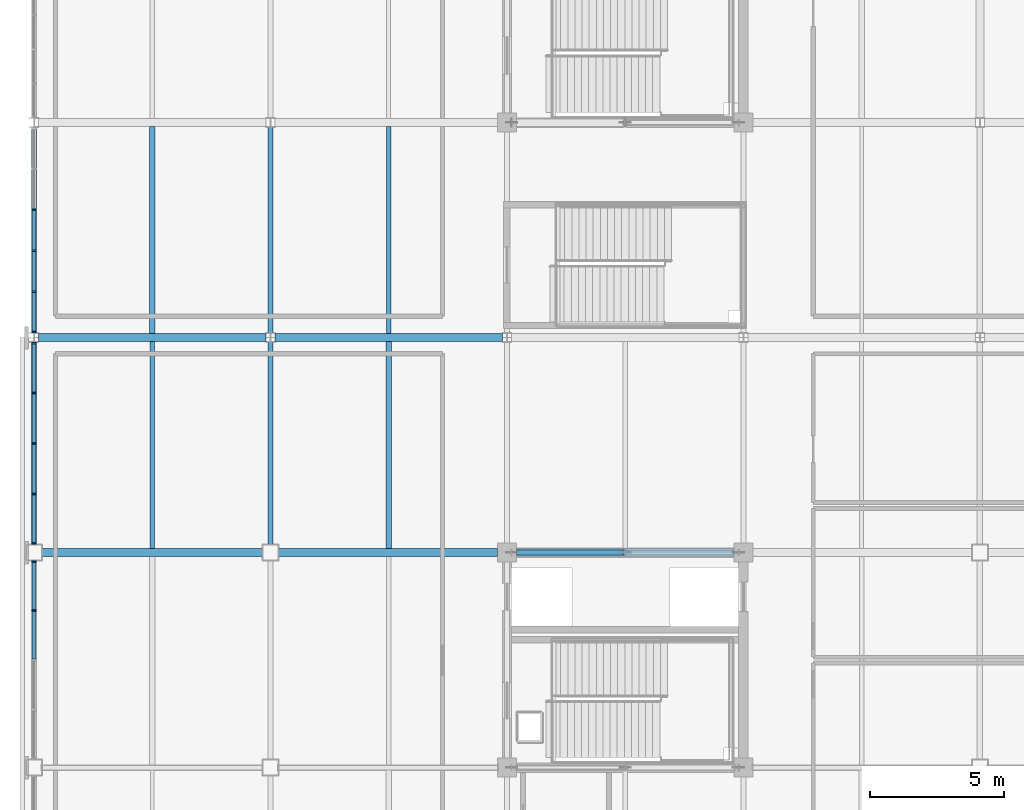
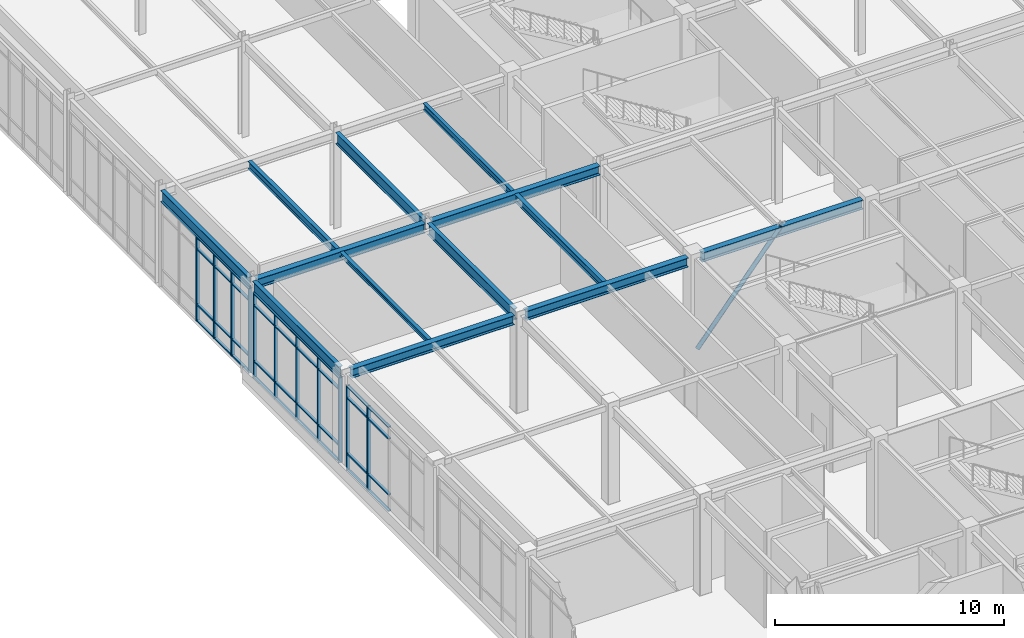
# One storey, part 61 of 184: 48 members, 13 beams, 3 elements without a shape of their own.
"""IFC4 building model written with IfcOpenShell, lengths in metres."""

from ifc_helpers import new_model, si_unit, direction, frame, origin, origin_2d, place, context, subcontext, project, spatial, rectangle, hollow_circle, i_section, extrude, material, material_profile, profile_set, type_object, element, aggregate, save


model = new_model("IFC4")

# Units and contexts
model_context = context("Model", 3, precision=1e-05, world=origin(), true_north=direction((0.0, 1.0)))
body_context = subcontext(model_context, "Body", "Model", "MODEL_VIEW")
ifc_project = project(units=[si_unit("LENGTHUNIT", "METRE"), si_unit("AREAUNIT", "SQUARE_METRE"), si_unit("VOLUMEUNIT", "CUBIC_METRE"), si_unit("PLANEANGLEUNIT", "RADIAN"), si_unit("MASSUNIT", "GRAM", prefix="KILO")], contexts=[model_context])

# Site, building, storey
site_placement = place(None, origin())
site = spatial("IfcSite", under=ifc_project, at=site_placement, CompositionType="ELEMENT")
building_placement = place(site_placement, origin())
building = spatial("IfcBuilding", under=site, at=building_placement, Name="Zhaolan Boulevard Law Courts", CompositionType="ELEMENT")
storey_placement = place(building_placement, frame((0.0, 0.0, 5.39990234375)))
storey = spatial("IfcBuildingStorey", under=building, at=storey_placement, Name="L01", CompositionType="ELEMENT", Elevation=5.39990234375)

# Member
ifc_material_1 = material(Name="Structural steel Q355B", Category="steel")
ifc_material_profile_1 = material_profile(ifc_material_1, hollow_circle(Radius=0.109619140625, WallThickness=0.008056640625, at=origin_2d()), Name="CHS219x8")
ifc_profile_set_1 = profile_set([ifc_material_profile_1], Name="Structural steel Q355B")
member_type_1 = type_object("IfcMemberType", Name="BRACE CHS219", PredefinedType="BRACE", material=ifc_profile_set_1)
member_1_placement = place(storey_placement, frame((17.780029296875, 70.0, 0.030029296875), z_axis=(0.638239277889, 0.0, 0.769838050605), x_axis=(0.0, 1.0, 0.0)))
element("IfcMember", 1, at=member_1_placement, inside=storey, type_object=member_type_1, Name="Core Brace BR-W2-L01-N1", PredefinedType="BRACE", context=body_context, shape_type="SweptSolid", body=[
    extrude(hollow_circle(Radius=0.109619140625, WallThickness=0.008056640625, at=origin_2d()), origin(), (0.0, 0.0, 1.0), 6.61181640625),
])

# Curtain wall, members
ifc_material_2 = material(Name="Thermally broken aluminium and low-E glazing", Category="aluminium")
curtain_wall_type_1 = type_object("IfcCurtainWallType", Name="CURTAIN WALL M11", PredefinedType="USERDEFINED", material=ifc_material_2)
curtain_wall_1_placement = place(storey_placement, origin())
curtain_wall_1 = element("IfcCurtainWall", 2, at=curtain_wall_1_placement, inside=storey, type_object=curtain_wall_type_1, Name="Curtain Wall CW-L01-107", ObjectType="CURTAIN WALL", PredefinedType="USERDEFINED")
ifc_material_3 = material(Name="Fluorocarbon-coated aluminium 6063-T6", Category="aluminium")
ifc_material_profile_2 = material_profile(ifc_material_3, rectangle(XDim=0.179931640625, YDim=0.06494140625, at=origin_2d()), Name="AL65x180")
ifc_profile_set_2 = profile_set([ifc_material_profile_2], Name="Fluorocarbon-coated aluminium 6063-T6")
member_type_2 = type_object("IfcMemberType", Name="CWMULLION 65X180", PredefinedType="MULLION", material=ifc_profile_set_2)
member_2_placement = place(storey_placement, frame((0.0, 82.7646484375, 0.0), z_axis=(0.0, 0.0, 1.0), x_axis=(1.0, 0.0, 0.0)))
member_2 = element("IfcMember", 3, at=member_2_placement, type_object=member_type_2, Name="CW-L01-107 mullion 3", PredefinedType="MULLION", context=body_context, shape_type="SweptSolid", body=[
    extrude(rectangle(XDim=0.179931640625, YDim=0.06494140625, at=origin_2d()), origin(), (0.0, 0.0, 1.0), 4.503173828125),
])
member_3_placement = place(storey_placement, frame((0.0, 81.2353515625, 0.0), z_axis=(0.0, 0.0, 1.0), x_axis=(1.0, 0.0, 0.0)))
member_3 = element("IfcMember", 4, at=member_3_placement, type_object=member_type_2, Name="CW-L01-107 mullion 4", PredefinedType="MULLION", context=body_context, shape_type="SweptSolid", body=[
    extrude(rectangle(XDim=0.179931640625, YDim=0.06494140625, at=origin_2d()), origin(), (0.0, 0.0, 1.0), 4.503173828125),
])
member_4_placement = place(storey_placement, frame((0.0, 79.706298828125, 0.0), z_axis=(0.0, 0.0, 1.0), x_axis=(1.0, 0.0, 0.0)))
member_4 = element("IfcMember", 5, at=member_4_placement, type_object=member_type_2, Name="CW-L01-107 mullion 5", PredefinedType="MULLION", context=body_context, shape_type="SweptSolid", body=[
    extrude(rectangle(XDim=0.179931640625, YDim=0.06494140625, at=origin_2d()), origin(), (0.0, 0.0, 1.0), 4.503173828125),
])
member_5_placement = place(storey_placement, frame((0.0, 78.20947265625, 0.0), z_axis=(0.0, 0.0, 1.0), x_axis=(1.0, 0.0, 0.0)))
member_5 = element("IfcMember", 6, at=member_5_placement, type_object=member_type_2, Name="CW-L01-107 mullion 6", PredefinedType="MULLION", context=body_context, shape_type="SweptSolid", body=[
    extrude(rectangle(XDim=0.179931640625, YDim=0.06494140625, at=origin_2d()), origin(), (0.0, 0.0, 1.0), 4.503173828125),
])

ifc_material_4 = material(Name="Thermally broken aluminium and low-E glazing", Category="aluminium")
curtain_wall_type_2 = type_object("IfcCurtainWallType", Name="CURTAIN WALL M23", PredefinedType="USERDEFINED", material=ifc_material_4)
curtain_wall_2_placement = place(storey_placement, origin())
curtain_wall_2 = element("IfcCurtainWall", 7, at=curtain_wall_2_placement, inside=storey, type_object=curtain_wall_type_2, Name="Curtain Wall CW-L01-143", ObjectType="CURTAIN WALL", PredefinedType="USERDEFINED")
member_6_placement = place(storey_placement, frame((0.0, 69.66552734375, 0.0), z_axis=(0.0, 0.0, 1.0), x_axis=(1.0, 0.0, 0.0)))
member_6 = element("IfcMember", 8, at=member_6_placement, type_object=member_type_2, Name="CW-L01-143 mullion 1", PredefinedType="MULLION", context=body_context, shape_type="SweptSolid", body=[
    extrude(rectangle(XDim=0.179931640625, YDim=0.06494140625, at=origin_2d()), origin(), (0.0, 0.0, 1.0), 4.523193359375),
])
member_7_placement = place(storey_placement, frame((0.0, 67.84912109375, 0.0), z_axis=(0.0, 0.0, 1.0), x_axis=(1.0, 0.0, 0.0)))
member_7 = element("IfcMember", 9, at=member_7_placement, type_object=member_type_2, Name="CW-L01-143 mullion 2", PredefinedType="MULLION", context=body_context, shape_type="SweptSolid", body=[
    extrude(rectangle(XDim=0.179931640625, YDim=0.06494140625, at=origin_2d()), origin(), (0.0, 0.0, 1.0), 4.523193359375),
])

ifc_material_5 = material(Name="Thermally broken aluminium and low-E glazing", Category="aluminium")
curtain_wall_type_3 = type_object("IfcCurtainWallType", Name="CURTAIN WALL M24", PredefinedType="USERDEFINED", material=ifc_material_5)
curtain_wall_3_placement = place(storey_placement, origin())
curtain_wall_3 = element("IfcCurtainWall", 10, at=curtain_wall_3_placement, inside=storey, type_object=curtain_wall_type_3, Name="Curtain Wall CW-L01-144", ObjectType="CURTAIN WALL", PredefinedType="USERDEFINED")
member_8_placement = place(storey_placement, frame((0.0, 77.79052734375, 0.0), z_axis=(0.0, 0.0, 1.0), x_axis=(1.0, 0.0, 0.0)))
member_8 = element("IfcMember", 11, at=member_8_placement, type_object=member_type_2, Name="CW-L01-144 mullion 1", PredefinedType="MULLION", context=body_context, shape_type="SweptSolid", body=[
    extrude(rectangle(XDim=0.179931640625, YDim=0.06494140625, at=origin_2d()), origin(), (0.0, 0.0, 1.0), 4.523193359375),
])
member_9_placement = place(storey_placement, frame((0.0, 75.94287109375, 0.0), z_axis=(0.0, 0.0, 1.0), x_axis=(1.0, 0.0, 0.0)))
member_9 = element("IfcMember", 12, at=member_9_placement, type_object=member_type_2, Name="CW-L01-144 mullion 2", PredefinedType="MULLION", context=body_context, shape_type="SweptSolid", body=[
    extrude(rectangle(XDim=0.179931640625, YDim=0.06494140625, at=origin_2d()), origin(), (0.0, 0.0, 1.0), 4.523193359375),
])
member_10_placement = place(storey_placement, frame((0.0, 74.0625, 0.0), z_axis=(0.0, 0.0, 1.0), x_axis=(1.0, 0.0, 0.0)))
member_10 = element("IfcMember", 13, at=member_10_placement, type_object=member_type_2, Name="CW-L01-144 mullion 3", PredefinedType="MULLION", context=body_context, shape_type="SweptSolid", body=[
    extrude(rectangle(XDim=0.179931640625, YDim=0.06494140625, at=origin_2d()), origin(), (0.0, 0.0, 1.0), 4.523193359375),
])
member_11_placement = place(storey_placement, frame((0.0, 72.18212890625, 0.0), z_axis=(0.0, 0.0, 1.0), x_axis=(1.0, 0.0, 0.0)))
member_11 = element("IfcMember", 14, at=member_11_placement, type_object=member_type_2, Name="CW-L01-144 mullion 4", PredefinedType="MULLION", context=body_context, shape_type="SweptSolid", body=[
    extrude(rectangle(XDim=0.179931640625, YDim=0.06494140625, at=origin_2d()), origin(), (0.0, 0.0, 1.0), 4.523193359375),
])
member_12_placement = place(storey_placement, frame((0.0, 70.33447265625, 0.0), z_axis=(0.0, 0.0, 1.0), x_axis=(1.0, 0.0, 0.0)))
member_12 = element("IfcMember", 15, at=member_12_placement, type_object=member_type_2, Name="CW-L01-144 mullion 5", PredefinedType="MULLION", context=body_context, shape_type="SweptSolid", body=[
    extrude(rectangle(XDim=0.179931640625, YDim=0.06494140625, at=origin_2d()), origin(), (0.0, 0.0, 1.0), 4.523193359375),
])

# Member
ifc_material_6 = material(Name="Fluorocarbon-coated aluminium 6063-T6", Category="aluminium")
ifc_material_profile_3 = material_profile(ifc_material_6, rectangle(XDim=0.139892578125, YDim=0.06494140625, at=origin_2d()), Name="AL65x140")
ifc_profile_set_3 = profile_set([ifc_material_profile_3], Name="Fluorocarbon-coated aluminium 6063-T6")
member_type_3 = type_object("IfcMemberType", Name="CWTRANSOM 65X140", PredefinedType="USERDEFINED", material=ifc_profile_set_3)
member_13_placement = place(storey_placement, frame((0.0, 82.732177734375, 0.03271484375), z_axis=(0.0, -1.0, 0.0), x_axis=(1.0, 0.0, 0.0)))
member_13 = element("IfcMember", 16, at=member_13_placement, type_object=member_type_3, Name="CW-L01-107 transom 3.1", ObjectType="TRANSOM", PredefinedType="USERDEFINED", context=body_context, shape_type="SweptSolid", body=[
    extrude(rectangle(XDim=0.139892578125, YDim=0.06494140625, at=origin_2d()), origin(), (0.0, 0.0, 1.0), 1.46435546875),
])

member_14_placement = place(storey_placement, frame((0.0, 82.732177734375, 0.900146484375), z_axis=(0.0, -1.0, 0.0), x_axis=(1.0, 0.0, 0.0)))
member_14 = element("IfcMember", 17, at=member_14_placement, type_object=member_type_3, Name="CW-L01-107 transom 3.2", ObjectType="TRANSOM", PredefinedType="USERDEFINED", context=body_context, shape_type="SweptSolid", body=[
    extrude(rectangle(XDim=0.139892578125, YDim=0.06494140625, at=origin_2d()), origin(), (0.0, 0.0, 1.0), 1.46435546875),
])

member_15_placement = place(storey_placement, frame((0.0, 82.732177734375, 3.85302734375), z_axis=(0.0, -1.0, 0.0), x_axis=(1.0, 0.0, 0.0)))
member_15 = element("IfcMember", 18, at=member_15_placement, type_object=member_type_3, Name="CW-L01-107 transom 3.3", ObjectType="TRANSOM", PredefinedType="USERDEFINED", context=body_context, shape_type="SweptSolid", body=[
    extrude(rectangle(XDim=0.139892578125, YDim=0.06494140625, at=origin_2d()), origin(), (0.0, 0.0, 1.0), 1.46435546875),
])

member_16_placement = place(storey_placement, frame((0.0, 82.732177734375, 4.470703125), z_axis=(0.0, -1.0, 0.0), x_axis=(1.0, 0.0, 0.0)))
member_16 = element("IfcMember", 19, at=member_16_placement, type_object=member_type_3, Name="CW-L01-107 transom 3.4", ObjectType="TRANSOM", PredefinedType="USERDEFINED", context=body_context, shape_type="SweptSolid", body=[
    extrude(rectangle(XDim=0.139892578125, YDim=0.06494140625, at=origin_2d()), origin(), (0.0, 0.0, 1.0), 1.46435546875),
])

member_17_placement = place(storey_placement, frame((0.0, 81.202880859375, 0.03271484375), z_axis=(0.0, -1.0, 0.0), x_axis=(1.0, 0.0, 0.0)))
member_17 = element("IfcMember", 20, at=member_17_placement, type_object=member_type_3, Name="CW-L01-107 transom 4.1", ObjectType="TRANSOM", PredefinedType="USERDEFINED", context=body_context, shape_type="SweptSolid", body=[
    extrude(rectangle(XDim=0.139892578125, YDim=0.06494140625, at=origin_2d()), origin(), (0.0, 0.0, 1.0), 1.464111328125),
])

member_18_placement = place(storey_placement, frame((0.0, 81.202880859375, 0.900146484375), z_axis=(0.0, -1.0, 0.0), x_axis=(1.0, 0.0, 0.0)))
member_18 = element("IfcMember", 21, at=member_18_placement, type_object=member_type_3, Name="CW-L01-107 transom 4.2", ObjectType="TRANSOM", PredefinedType="USERDEFINED", context=body_context, shape_type="SweptSolid", body=[
    extrude(rectangle(XDim=0.139892578125, YDim=0.06494140625, at=origin_2d()), origin(), (0.0, 0.0, 1.0), 1.464111328125),
])

member_19_placement = place(storey_placement, frame((0.0, 81.202880859375, 3.85302734375), z_axis=(0.0, -1.0, 0.0), x_axis=(1.0, 0.0, 0.0)))
member_19 = element("IfcMember", 22, at=member_19_placement, type_object=member_type_3, Name="CW-L01-107 transom 4.3", ObjectType="TRANSOM", PredefinedType="USERDEFINED", context=body_context, shape_type="SweptSolid", body=[
    extrude(rectangle(XDim=0.139892578125, YDim=0.06494140625, at=origin_2d()), origin(), (0.0, 0.0, 1.0), 1.464111328125),
])

member_20_placement = place(storey_placement, frame((0.0, 81.202880859375, 4.470703125), z_axis=(0.0, -1.0, 0.0), x_axis=(1.0, 0.0, 0.0)))
member_20 = element("IfcMember", 23, at=member_20_placement, type_object=member_type_3, Name="CW-L01-107 transom 4.4", ObjectType="TRANSOM", PredefinedType="USERDEFINED", context=body_context, shape_type="SweptSolid", body=[
    extrude(rectangle(XDim=0.139892578125, YDim=0.06494140625, at=origin_2d()), origin(), (0.0, 0.0, 1.0), 1.464111328125),
])

member_21_placement = place(storey_placement, frame((0.0, 79.673583984375, 0.03271484375), z_axis=(0.0, -1.0, 0.0), x_axis=(1.0, 0.0, 0.0)))
member_21 = element("IfcMember", 24, at=member_21_placement, type_object=member_type_3, Name="CW-L01-107 transom 5.1", ObjectType="TRANSOM", PredefinedType="USERDEFINED", context=body_context, shape_type="SweptSolid", body=[
    extrude(rectangle(XDim=0.139892578125, YDim=0.06494140625, at=origin_2d()), origin(), (0.0, 0.0, 1.0), 1.431640625),
])

member_22_placement = place(storey_placement, frame((0.0, 79.673583984375, 0.900146484375), z_axis=(0.0, -1.0, 0.0), x_axis=(1.0, 0.0, 0.0)))
member_22 = element("IfcMember", 25, at=member_22_placement, type_object=member_type_3, Name="CW-L01-107 transom 5.2", ObjectType="TRANSOM", PredefinedType="USERDEFINED", context=body_context, shape_type="SweptSolid", body=[
    extrude(rectangle(XDim=0.139892578125, YDim=0.06494140625, at=origin_2d()), origin(), (0.0, 0.0, 1.0), 1.431640625),
])

member_23_placement = place(storey_placement, frame((0.0, 79.673583984375, 3.85302734375), z_axis=(0.0, -1.0, 0.0), x_axis=(1.0, 0.0, 0.0)))
member_23 = element("IfcMember", 26, at=member_23_placement, type_object=member_type_3, Name="CW-L01-107 transom 5.3", ObjectType="TRANSOM", PredefinedType="USERDEFINED", context=body_context, shape_type="SweptSolid", body=[
    extrude(rectangle(XDim=0.139892578125, YDim=0.06494140625, at=origin_2d()), origin(), (0.0, 0.0, 1.0), 1.431640625),
])

member_24_placement = place(storey_placement, frame((0.0, 79.673583984375, 4.470703125), z_axis=(0.0, -1.0, 0.0), x_axis=(1.0, 0.0, 0.0)))
member_24 = element("IfcMember", 27, at=member_24_placement, type_object=member_type_3, Name="CW-L01-107 transom 5.4", ObjectType="TRANSOM", PredefinedType="USERDEFINED", context=body_context, shape_type="SweptSolid", body=[
    extrude(rectangle(XDim=0.139892578125, YDim=0.06494140625, at=origin_2d()), origin(), (0.0, 0.0, 1.0), 1.431640625),
])

aggregate(curtain_wall_1, [member_2, member_3, member_4, member_5, member_13, member_14, member_15, member_16, member_17, member_18, member_19, member_20, member_21, member_22, member_23, member_24])

member_25_placement = place(storey_placement, frame((0.0, 69.633056640625, 0.03271484375), z_axis=(0.0, -1.0, 0.0), x_axis=(1.0, 0.0, 0.0)))
member_25 = element("IfcMember", 28, at=member_25_placement, type_object=member_type_3, Name="CW-L01-143 transom 1.1", ObjectType="TRANSOM", PredefinedType="USERDEFINED", context=body_context, shape_type="SweptSolid", body=[
    extrude(rectangle(XDim=0.139892578125, YDim=0.06494140625, at=origin_2d()), origin(), (0.0, 0.0, 1.0), 1.75146484375),
])

member_26_placement = place(storey_placement, frame((0.0, 69.633056640625, 0.900146484375), z_axis=(0.0, -1.0, 0.0), x_axis=(1.0, 0.0, 0.0)))
member_26 = element("IfcMember", 29, at=member_26_placement, type_object=member_type_3, Name="CW-L01-143 transom 1.2", ObjectType="TRANSOM", PredefinedType="USERDEFINED", context=body_context, shape_type="SweptSolid", body=[
    extrude(rectangle(XDim=0.139892578125, YDim=0.06494140625, at=origin_2d()), origin(), (0.0, 0.0, 1.0), 1.75146484375),
])

member_27_placement = place(storey_placement, frame((0.0, 69.633056640625, 3.873046875), z_axis=(0.0, -1.0, 0.0), x_axis=(1.0, 0.0, 0.0)))
member_27 = element("IfcMember", 30, at=member_27_placement, type_object=member_type_3, Name="CW-L01-143 transom 1.3", ObjectType="TRANSOM", PredefinedType="USERDEFINED", context=body_context, shape_type="SweptSolid", body=[
    extrude(rectangle(XDim=0.139892578125, YDim=0.06494140625, at=origin_2d()), origin(), (0.0, 0.0, 1.0), 1.75146484375),
])

member_28_placement = place(storey_placement, frame((0.0, 69.633056640625, 4.490478515625), z_axis=(0.0, -1.0, 0.0), x_axis=(1.0, 0.0, 0.0)))
member_28 = element("IfcMember", 31, at=member_28_placement, type_object=member_type_3, Name="CW-L01-143 transom 1.4", ObjectType="TRANSOM", PredefinedType="USERDEFINED", context=body_context, shape_type="SweptSolid", body=[
    extrude(rectangle(XDim=0.139892578125, YDim=0.06494140625, at=origin_2d()), origin(), (0.0, 0.0, 1.0), 1.75146484375),
])

member_29_placement = place(storey_placement, frame((0.0, 67.81640625, 0.03271484375), z_axis=(0.0, -1.0, 0.0), x_axis=(1.0, 0.0, 0.0)))
member_29 = element("IfcMember", 32, at=member_29_placement, type_object=member_type_3, Name="CW-L01-143 transom 2.1", ObjectType="TRANSOM", PredefinedType="USERDEFINED", context=body_context, shape_type="SweptSolid", body=[
    extrude(rectangle(XDim=0.139892578125, YDim=0.06494140625, at=origin_2d()), origin(), (0.0, 0.0, 1.0), 1.783935546875),
])

member_30_placement = place(storey_placement, frame((0.0, 67.81640625, 0.900146484375), z_axis=(0.0, -1.0, 0.0), x_axis=(1.0, 0.0, 0.0)))
member_30 = element("IfcMember", 33, at=member_30_placement, type_object=member_type_3, Name="CW-L01-143 transom 2.2", ObjectType="TRANSOM", PredefinedType="USERDEFINED", context=body_context, shape_type="SweptSolid", body=[
    extrude(rectangle(XDim=0.139892578125, YDim=0.06494140625, at=origin_2d()), origin(), (0.0, 0.0, 1.0), 1.783935546875),
])

member_31_placement = place(storey_placement, frame((0.0, 67.81640625, 3.873046875), z_axis=(0.0, -1.0, 0.0), x_axis=(1.0, 0.0, 0.0)))
member_31 = element("IfcMember", 34, at=member_31_placement, type_object=member_type_3, Name="CW-L01-143 transom 2.3", ObjectType="TRANSOM", PredefinedType="USERDEFINED", context=body_context, shape_type="SweptSolid", body=[
    extrude(rectangle(XDim=0.139892578125, YDim=0.06494140625, at=origin_2d()), origin(), (0.0, 0.0, 1.0), 1.783935546875),
])

member_32_placement = place(storey_placement, frame((0.0, 67.81640625, 4.490478515625), z_axis=(0.0, -1.0, 0.0), x_axis=(1.0, 0.0, 0.0)))
member_32 = element("IfcMember", 35, at=member_32_placement, type_object=member_type_3, Name="CW-L01-143 transom 2.4", ObjectType="TRANSOM", PredefinedType="USERDEFINED", context=body_context, shape_type="SweptSolid", body=[
    extrude(rectangle(XDim=0.139892578125, YDim=0.06494140625, at=origin_2d()), origin(), (0.0, 0.0, 1.0), 1.783935546875),
])

aggregate(curtain_wall_2, [member_6, member_7, member_25, member_26, member_27, member_28, member_29, member_30, member_31, member_32])

member_33_placement = place(storey_placement, frame((0.0, 77.758056640625, 0.03271484375), z_axis=(0.0, -1.0, 0.0), x_axis=(1.0, 0.0, 0.0)))
member_33 = element("IfcMember", 36, at=member_33_placement, type_object=member_type_3, Name="CW-L01-144 transom 1.1", ObjectType="TRANSOM", PredefinedType="USERDEFINED", context=body_context, shape_type="SweptSolid", body=[
    extrude(rectangle(XDim=0.139892578125, YDim=0.06494140625, at=origin_2d()), origin(), (0.0, 0.0, 1.0), 1.78271484375),
])

member_34_placement = place(storey_placement, frame((0.0, 77.758056640625, 0.900146484375), z_axis=(0.0, -1.0, 0.0), x_axis=(1.0, 0.0, 0.0)))
member_34 = element("IfcMember", 37, at=member_34_placement, type_object=member_type_3, Name="CW-L01-144 transom 1.2", ObjectType="TRANSOM", PredefinedType="USERDEFINED", context=body_context, shape_type="SweptSolid", body=[
    extrude(rectangle(XDim=0.139892578125, YDim=0.06494140625, at=origin_2d()), origin(), (0.0, 0.0, 1.0), 1.78271484375),
])

member_35_placement = place(storey_placement, frame((0.0, 77.758056640625, 3.873046875), z_axis=(0.0, -1.0, 0.0), x_axis=(1.0, 0.0, 0.0)))
member_35 = element("IfcMember", 38, at=member_35_placement, type_object=member_type_3, Name="CW-L01-144 transom 1.3", ObjectType="TRANSOM", PredefinedType="USERDEFINED", context=body_context, shape_type="SweptSolid", body=[
    extrude(rectangle(XDim=0.139892578125, YDim=0.06494140625, at=origin_2d()), origin(), (0.0, 0.0, 1.0), 1.78271484375),
])

member_36_placement = place(storey_placement, frame((0.0, 77.758056640625, 4.490478515625), z_axis=(0.0, -1.0, 0.0), x_axis=(1.0, 0.0, 0.0)))
member_36 = element("IfcMember", 39, at=member_36_placement, type_object=member_type_3, Name="CW-L01-144 transom 1.4", ObjectType="TRANSOM", PredefinedType="USERDEFINED", context=body_context, shape_type="SweptSolid", body=[
    extrude(rectangle(XDim=0.139892578125, YDim=0.06494140625, at=origin_2d()), origin(), (0.0, 0.0, 1.0), 1.78271484375),
])

member_37_placement = place(storey_placement, frame((0.0, 75.91015625, 0.03271484375), z_axis=(0.0, -1.0, 0.0), x_axis=(1.0, 0.0, 0.0)))
member_37 = element("IfcMember", 40, at=member_37_placement, type_object=member_type_3, Name="CW-L01-144 transom 2.1", ObjectType="TRANSOM", PredefinedType="USERDEFINED", context=body_context, shape_type="SweptSolid", body=[
    extrude(rectangle(XDim=0.139892578125, YDim=0.06494140625, at=origin_2d()), origin(), (0.0, 0.0, 1.0), 1.815185546875),
])

member_38_placement = place(storey_placement, frame((0.0, 75.91015625, 0.900146484375), z_axis=(0.0, -1.0, 0.0), x_axis=(1.0, 0.0, 0.0)))
member_38 = element("IfcMember", 41, at=member_38_placement, type_object=member_type_3, Name="CW-L01-144 transom 2.2", ObjectType="TRANSOM", PredefinedType="USERDEFINED", context=body_context, shape_type="SweptSolid", body=[
    extrude(rectangle(XDim=0.139892578125, YDim=0.06494140625, at=origin_2d()), origin(), (0.0, 0.0, 1.0), 1.815185546875),
])

member_39_placement = place(storey_placement, frame((0.0, 75.91015625, 3.873046875), z_axis=(0.0, -1.0, 0.0), x_axis=(1.0, 0.0, 0.0)))
member_39 = element("IfcMember", 42, at=member_39_placement, type_object=member_type_3, Name="CW-L01-144 transom 2.3", ObjectType="TRANSOM", PredefinedType="USERDEFINED", context=body_context, shape_type="SweptSolid", body=[
    extrude(rectangle(XDim=0.139892578125, YDim=0.06494140625, at=origin_2d()), origin(), (0.0, 0.0, 1.0), 1.815185546875),
])

member_40_placement = place(storey_placement, frame((0.0, 75.91015625, 4.490478515625), z_axis=(0.0, -1.0, 0.0), x_axis=(1.0, 0.0, 0.0)))
member_40 = element("IfcMember", 43, at=member_40_placement, type_object=member_type_3, Name="CW-L01-144 transom 2.4", ObjectType="TRANSOM", PredefinedType="USERDEFINED", context=body_context, shape_type="SweptSolid", body=[
    extrude(rectangle(XDim=0.139892578125, YDim=0.06494140625, at=origin_2d()), origin(), (0.0, 0.0, 1.0), 1.815185546875),
])

member_41_placement = place(storey_placement, frame((0.0, 74.030029296875, 0.03271484375), z_axis=(0.0, -1.0, 0.0), x_axis=(1.0, 0.0, 0.0)))
member_41 = element("IfcMember", 44, at=member_41_placement, type_object=member_type_3, Name="CW-L01-144 transom 3.1", ObjectType="TRANSOM", PredefinedType="USERDEFINED", context=body_context, shape_type="SweptSolid", body=[
    extrude(rectangle(XDim=0.139892578125, YDim=0.06494140625, at=origin_2d()), origin(), (0.0, 0.0, 1.0), 1.815185546875),
])

member_42_placement = place(storey_placement, frame((0.0, 74.030029296875, 0.900146484375), z_axis=(0.0, -1.0, 0.0), x_axis=(1.0, 0.0, 0.0)))
member_42 = element("IfcMember", 45, at=member_42_placement, type_object=member_type_3, Name="CW-L01-144 transom 3.2", ObjectType="TRANSOM", PredefinedType="USERDEFINED", context=body_context, shape_type="SweptSolid", body=[
    extrude(rectangle(XDim=0.139892578125, YDim=0.06494140625, at=origin_2d()), origin(), (0.0, 0.0, 1.0), 1.815185546875),
])

member_43_placement = place(storey_placement, frame((0.0, 74.030029296875, 3.873046875), z_axis=(0.0, -1.0, 0.0), x_axis=(1.0, 0.0, 0.0)))
member_43 = element("IfcMember", 46, at=member_43_placement, type_object=member_type_3, Name="CW-L01-144 transom 3.3", ObjectType="TRANSOM", PredefinedType="USERDEFINED", context=body_context, shape_type="SweptSolid", body=[
    extrude(rectangle(XDim=0.139892578125, YDim=0.06494140625, at=origin_2d()), origin(), (0.0, 0.0, 1.0), 1.815185546875),
])

member_44_placement = place(storey_placement, frame((0.0, 74.030029296875, 4.490478515625), z_axis=(0.0, -1.0, 0.0), x_axis=(1.0, 0.0, 0.0)))
member_44 = element("IfcMember", 47, at=member_44_placement, type_object=member_type_3, Name="CW-L01-144 transom 3.4", ObjectType="TRANSOM", PredefinedType="USERDEFINED", context=body_context, shape_type="SweptSolid", body=[
    extrude(rectangle(XDim=0.139892578125, YDim=0.06494140625, at=origin_2d()), origin(), (0.0, 0.0, 1.0), 1.815185546875),
])

member_45_placement = place(storey_placement, frame((0.0, 72.149658203125, 0.03271484375), z_axis=(0.0, -1.0, 0.0), x_axis=(1.0, 0.0, 0.0)))
member_45 = element("IfcMember", 48, at=member_45_placement, type_object=member_type_3, Name="CW-L01-144 transom 4.1", ObjectType="TRANSOM", PredefinedType="USERDEFINED", context=body_context, shape_type="SweptSolid", body=[
    extrude(rectangle(XDim=0.139892578125, YDim=0.06494140625, at=origin_2d()), origin(), (0.0, 0.0, 1.0), 1.78271484375),
])

member_46_placement = place(storey_placement, frame((0.0, 72.149658203125, 0.900146484375), z_axis=(0.0, -1.0, 0.0), x_axis=(1.0, 0.0, 0.0)))
member_46 = element("IfcMember", 49, at=member_46_placement, type_object=member_type_3, Name="CW-L01-144 transom 4.2", ObjectType="TRANSOM", PredefinedType="USERDEFINED", context=body_context, shape_type="SweptSolid", body=[
    extrude(rectangle(XDim=0.139892578125, YDim=0.06494140625, at=origin_2d()), origin(), (0.0, 0.0, 1.0), 1.78271484375),
])

member_47_placement = place(storey_placement, frame((0.0, 72.149658203125, 3.873046875), z_axis=(0.0, -1.0, 0.0), x_axis=(1.0, 0.0, 0.0)))
member_47 = element("IfcMember", 50, at=member_47_placement, type_object=member_type_3, Name="CW-L01-144 transom 4.3", ObjectType="TRANSOM", PredefinedType="USERDEFINED", context=body_context, shape_type="SweptSolid", body=[
    extrude(rectangle(XDim=0.139892578125, YDim=0.06494140625, at=origin_2d()), origin(), (0.0, 0.0, 1.0), 1.78271484375),
])

member_48_placement = place(storey_placement, frame((0.0, 72.149658203125, 4.490478515625), z_axis=(0.0, -1.0, 0.0), x_axis=(1.0, 0.0, 0.0)))
member_48 = element("IfcMember", 51, at=member_48_placement, type_object=member_type_3, Name="CW-L01-144 transom 4.4", ObjectType="TRANSOM", PredefinedType="USERDEFINED", context=body_context, shape_type="SweptSolid", body=[
    extrude(rectangle(XDim=0.139892578125, YDim=0.06494140625, at=origin_2d()), origin(), (0.0, 0.0, 1.0), 1.78271484375),
])

aggregate(curtain_wall_3, [member_8, member_9, member_10, member_11, member_12, member_33, member_34, member_35, member_36, member_37, member_38, member_39, member_40, member_41, member_42, member_43, member_44, member_45, member_46, member_47, member_48])

# Beams
ifc_material_7 = material(Name="Structural steel Q355B", Category="steel")
ifc_material_profile_4 = material_profile(ifc_material_7, i_section(OverallWidth=0.300048828125, OverallDepth=0.488037109375, WebThickness=0.010986328125, FlangeThickness=0.01806640625, FilletRadius=0.02197265625, at=origin_2d()), Name="HM488x300")
ifc_profile_set_4 = profile_set([ifc_material_profile_4], Name="Structural steel Q355B")
beam_type_1 = type_object("IfcBeamType", Name="GIRDER HM500", PredefinedType="BEAM", material=ifc_profile_set_4)
beam_1_placement = place(storey_placement, frame((0.2958984375, 70.0, 4.89404296875), z_axis=(1.0, 0.0, 0.0), x_axis=(0.0, 1.0, 0.0)))
element("IfcBeam", 52, at=beam_1_placement, inside=storey, type_object=beam_type_1, Name="Beam BX-L02-1-2-K", PredefinedType="BEAM", context=body_context, shape_type="SweptSolid", body=[
    extrude(i_section(OverallWidth=0.300048828125, OverallDepth=0.488037109375, WebThickness=0.010986328125, FlangeThickness=0.01806640625, FilletRadius=0.02197265625, at=origin_2d()), origin(), (0.0, 0.0, 1.0), 8.2080078125),
])
beam_2_placement = place(storey_placement, frame((9.095947265625, 70.0, 4.89404296875), z_axis=(1.0, 0.0, 0.0), x_axis=(0.0, 1.0, 0.0)))
element("IfcBeam", 53, at=beam_2_placement, inside=storey, type_object=beam_type_1, Name="Beam BX-L02-2-3-K", PredefinedType="BEAM", context=body_context, shape_type="SweptSolid", body=[
    extrude(i_section(OverallWidth=0.300048828125, OverallDepth=0.488037109375, WebThickness=0.010986328125, FlangeThickness=0.01806640625, FilletRadius=0.02197265625, at=origin_2d()), origin(), (0.0, 0.0, 1.0), 8.157958984375),
])
beam_3_placement = place(storey_placement, frame((17.946044921875, 70.0, 4.89404296875), z_axis=(1.0, 0.0, 0.0), x_axis=(0.0, 1.0, 0.0)))
element("IfcBeam", 54, at=beam_3_placement, inside=storey, type_object=beam_type_1, Name="Beam BX-L02-3-4-K", PredefinedType="BEAM", context=body_context, shape_type="SweptSolid", body=[
    extrude(i_section(OverallWidth=0.300048828125, OverallDepth=0.488037109375, WebThickness=0.010986328125, FlangeThickness=0.01806640625, FilletRadius=0.02197265625, at=origin_2d()), origin(), (0.0, 0.0, 1.0), 8.10791015625),
])
for number, where, z_axis, x_axis, name in (
    (55, (0.1708984375, 78.0, 4.8740234375), (1.0, 0.0, 0.0), (0.0, 1.0, 0.0), "Beam BX-L02-1-2-L"),
    (56, (8.970947265625, 78.0, 4.8740234375), (1.0, 0.0, 0.0), (0.0, 1.0, 0.0), "Beam BX-L02-2-3-L"),
):
    element("IfcBeam", number, at=place(storey_placement, frame(where, z_axis=z_axis, x_axis=x_axis)), inside=storey, type_object=beam_type_1, Name=name, PredefinedType="BEAM", context=body_context, shape_type="SweptSolid", body=[
        extrude(i_section(OverallWidth=0.300048828125, OverallDepth=0.488037109375, WebThickness=0.010986328125, FlangeThickness=0.01806640625, FilletRadius=0.02197265625, at=origin_2d()), origin(), (0.0, 0.0, 1.0), 8.4580078125),
    ])
ifc_material_8 = material(Name="Structural steel Q355B", Category="steel")
ifc_material_profile_5 = material_profile(ifc_material_8, i_section(OverallWidth=0.199951171875, OverallDepth=0.60009765625, WebThickness=0.010986328125, FlangeThickness=0.01708984375, FilletRadius=0.02001953125, at=origin_2d()), Name="HN600x200")
ifc_profile_set_5 = profile_set([ifc_material_profile_5], Name="Structural steel Q355B")
beam_type_2 = type_object("IfcBeamType", Name="GIRDER HN600", PredefinedType="BEAM", material=ifc_profile_set_5)
beam_4_placement = place(storey_placement, frame((0.0, 70.2958984375, 4.838134765625), z_axis=(0.0, 1.0, 0.0), x_axis=(-1.0, 0.0, 0.0)))
element("IfcBeam", 57, at=beam_4_placement, inside=storey, type_object=beam_type_2, Name="Beam BY-L02-1-K-L", PredefinedType="BEAM", context=body_context, shape_type="SweptSolid", body=[
    extrude(i_section(OverallWidth=0.199951171875, OverallDepth=0.60009765625, WebThickness=0.010986328125, FlangeThickness=0.01708984375, FilletRadius=0.02001953125, at=origin_2d()), origin(), (0.0, 0.0, 1.0), 7.533203125),
])
beam_5_placement = place(storey_placement, frame((0.0, 78.1708984375, 4.818115234375), z_axis=(0.0, 1.0, 0.0), x_axis=(-1.0, 0.0, 0.0)))
element("IfcBeam", 58, at=beam_5_placement, inside=storey, type_object=beam_type_2, Name="Beam BY-L02-1-L-M", PredefinedType="BEAM", context=body_context, shape_type="SweptSolid", body=[
    extrude(i_section(OverallWidth=0.199951171875, OverallDepth=0.60009765625, WebThickness=0.010986328125, FlangeThickness=0.01708984375, FilletRadius=0.02001953125, at=origin_2d()), origin(), (0.0, 0.0, 1.0), 7.658203125),
])
beam_6_placement = place(storey_placement, frame((8.800048828125, 70.2958984375, 4.838134765625), z_axis=(0.0, 1.0, 0.0), x_axis=(-1.0, 0.0, 0.0)))
element("IfcBeam", 59, at=beam_6_placement, inside=storey, type_object=beam_type_2, Name="Beam BY-L02-2-K-L", PredefinedType="BEAM", context=body_context, shape_type="SweptSolid", body=[
    extrude(i_section(OverallWidth=0.199951171875, OverallDepth=0.60009765625, WebThickness=0.010986328125, FlangeThickness=0.01708984375, FilletRadius=0.02001953125, at=origin_2d()), origin(), (0.0, 0.0, 1.0), 7.533203125),
])
beam_7_placement = place(storey_placement, frame((8.800048828125, 78.1708984375, 4.818115234375), z_axis=(0.0, 1.0, 0.0), x_axis=(-1.0, 0.0, 0.0)))
element("IfcBeam", 60, at=beam_7_placement, inside=storey, type_object=beam_type_2, Name="Beam BY-L02-2-L-M", PredefinedType="BEAM", context=body_context, shape_type="SweptSolid", body=[
    extrude(i_section(OverallWidth=0.199951171875, OverallDepth=0.60009765625, WebThickness=0.010986328125, FlangeThickness=0.01708984375, FilletRadius=0.02001953125, at=origin_2d()), origin(), (0.0, 0.0, 1.0), 7.658203125),
])
ifc_material_9 = material(Name="Structural steel Q355B", Category="steel")
ifc_material_profile_6 = material_profile(ifc_material_9, i_section(OverallWidth=0.175048828125, OverallDepth=0.243896484375, WebThickness=0.007080078125, FlangeThickness=0.010986328125, FilletRadius=0.012939453125, at=origin_2d()), Name="HM244x175")
ifc_profile_set_6 = profile_set([ifc_material_profile_6], Name="Structural steel Q355B")
beam_type_3 = type_object("IfcBeamType", Name="JOIST HM244", PredefinedType="JOIST", material=ifc_profile_set_6)
beam_8_placement = place(storey_placement, frame((4.39990234375, 70.14599609375, 5.01611328125), z_axis=(0.0, 1.0, 0.0), x_axis=(-1.0, 0.0, 0.0)))
element("IfcBeam", 61, at=beam_8_placement, inside=storey, type_object=beam_type_3, Name="Composite Joist J-L02-1K", PredefinedType="JOIST", context=body_context, shape_type="SweptSolid", body=[
    extrude(i_section(OverallWidth=0.175048828125, OverallDepth=0.243896484375, WebThickness=0.007080078125, FlangeThickness=0.010986328125, FilletRadius=0.012939453125, at=origin_2d()), origin(), (0.0, 0.0, 1.0), 7.7080078125),
])
ifc_material_10 = material(Name="Structural steel Q355B", Category="steel")
ifc_material_profile_7 = material_profile(ifc_material_10, i_section(OverallWidth=0.175048828125, OverallDepth=0.35009765625, WebThickness=0.007080078125, FlangeThickness=0.010986328125, FilletRadius=0.012939453125, at=origin_2d()), Name="HN350x175")
ifc_profile_set_7 = profile_set([ifc_material_profile_7], Name="Structural steel Q355B")
beam_type_4 = type_object("IfcBeamType", Name="JOIST HN350", PredefinedType="JOIST", material=ifc_profile_set_7)
beam_9_placement = place(storey_placement, frame((13.199951171875, 78.14599609375, 4.943115234375), z_axis=(0.0, 1.0, 0.0), x_axis=(-1.0, 0.0, 0.0)))
element("IfcBeam", 62, at=beam_9_placement, inside=storey, type_object=beam_type_4, Name="Composite Joist J-L02-2L", PredefinedType="JOIST", context=body_context, shape_type="SweptSolid", body=[
    extrude(i_section(OverallWidth=0.175048828125, OverallDepth=0.35009765625, WebThickness=0.007080078125, FlangeThickness=0.010986328125, FilletRadius=0.012939453125, at=origin_2d()), origin(), (0.0, 0.0, 1.0), 7.7080078125),
])
ifc_material_11 = material(Name="Structural steel Q355B", Category="steel")
ifc_material_profile_8 = material_profile(ifc_material_11, i_section(OverallWidth=0.199951171875, OverallDepth=0.39990234375, WebThickness=0.008056640625, FlangeThickness=0.012939453125, FilletRadius=0.013916015625, at=origin_2d()), Name="HN400x200")
ifc_profile_set_8 = profile_set([ifc_material_profile_8], Name="Structural steel Q355B")
beam_type_5 = type_object("IfcBeamType", Name="JOIST HN400", PredefinedType="JOIST", material=ifc_profile_set_8)
for number, where, z_axis, x_axis, name in (
    (63, (4.39990234375, 78.14599609375, 4.918212890625), (0.0, 1.0, 0.0), (-1.0, 0.0, 0.0), "Composite Joist J-L02-1L"),
    (64, (13.199951171875, 70.14599609375, 4.93798828125), (0.0, 1.0, 0.0), (-1.0, 0.0, 0.0), "Composite Joist J-L02-2K"),
):
    element("IfcBeam", number, at=place(storey_placement, frame(where, z_axis=z_axis, x_axis=x_axis)), inside=storey, type_object=beam_type_5, Name=name, PredefinedType="JOIST", context=body_context, shape_type="SweptSolid", body=[
        extrude(i_section(OverallWidth=0.199951171875, OverallDepth=0.39990234375, WebThickness=0.008056640625, FlangeThickness=0.012939453125, FilletRadius=0.013916015625, at=origin_2d()), origin(), (0.0, 0.0, 1.0), 7.7080078125),
    ])

save(model, "model.ifc")
